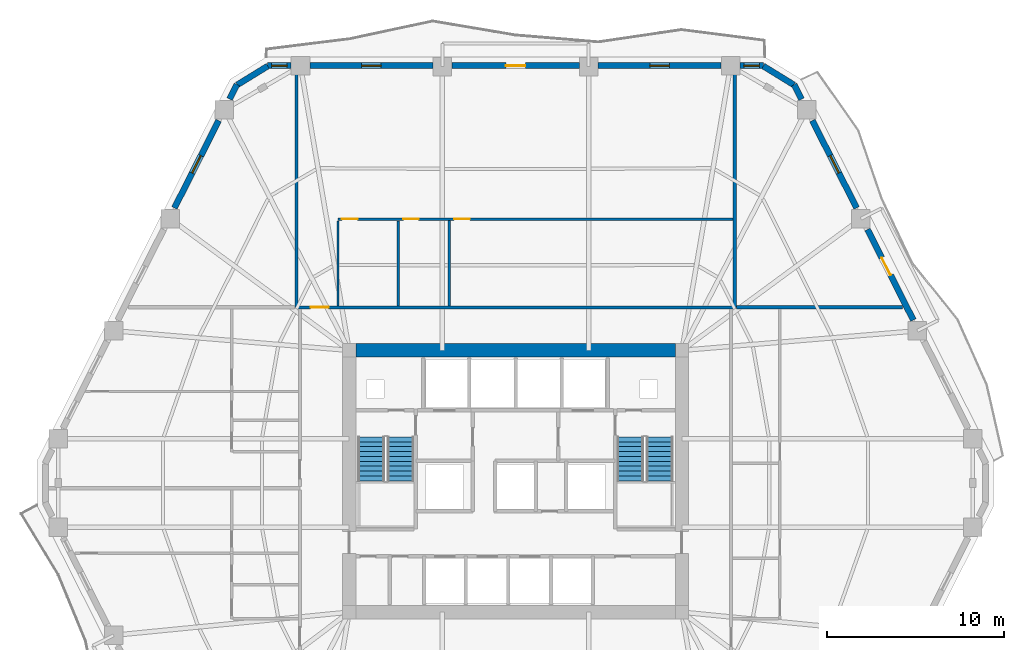
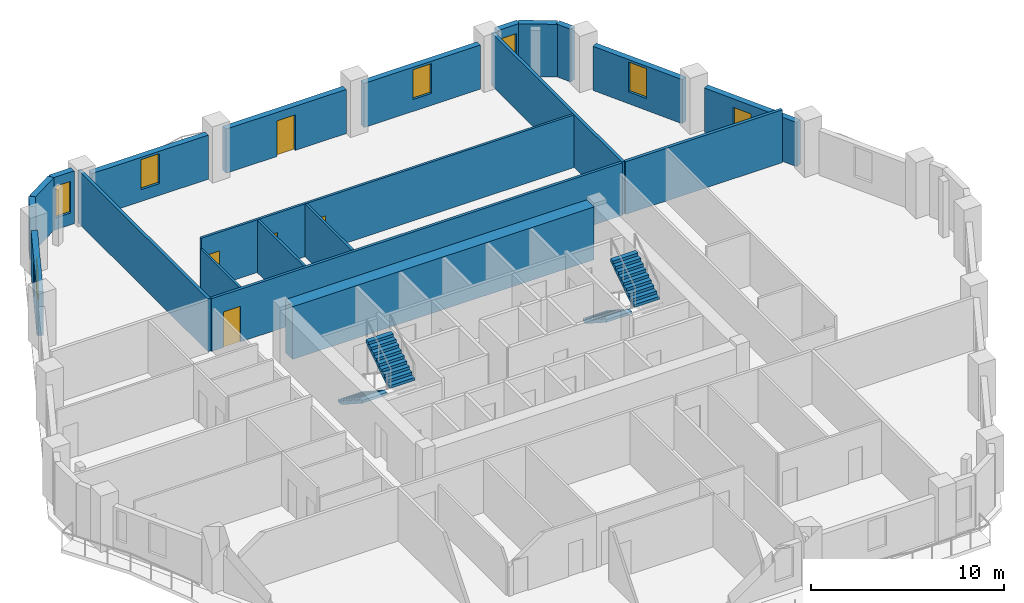
# One storey, part 7 of 10: 21 walls, 6 doors, 6 windows, 4 stair flights, 12 openings, 2 elements without a shape of their own.
"""IFC4 building model written with IfcOpenShell, lengths in metres."""

from ifc_helpers import new_model, si_unit, direction, frame, frame_2d, origin, place, context, subcontext, project, spatial, polyline, rectangle, outline, extrude, material, layer, layer_set, type_object, element, fill, aggregate, save


model = new_model("IFC4")

# Units and contexts
model_context = context("Model", 3, precision=1e-05, world=origin(), true_north=direction((0.0, 1.0)))
body_context = subcontext(model_context, "Body", "Model", "MODEL_VIEW")
ifc_project = project(units=[si_unit("LENGTHUNIT", "METRE"), si_unit("AREAUNIT", "SQUARE_METRE"), si_unit("VOLUMEUNIT", "CUBIC_METRE"), si_unit("PLANEANGLEUNIT", "RADIAN"), si_unit("MASSUNIT", "GRAM", prefix="KILO")], contexts=[model_context])

# Site, building, storey
site_placement = place(None, origin())
site = spatial("IfcSite", under=ifc_project, at=site_placement, CompositionType="ELEMENT")
building_placement = place(site_placement, origin())
building = spatial("IfcBuilding", under=site, at=building_placement, Name="Cinnabar Lancet Tower", CompositionType="ELEMENT")
storey_placement = place(building_placement, frame((0.0, 0.0, 87.10009765625)))
storey = spatial("IfcBuildingStorey", under=building, at=storey_placement, Name="L22", CompositionType="ELEMENT", Elevation=87.10009765625)

# Wall, opening, door
ifc_material_1 = material(Name="Acoustic twin-stud gypsum partition", Category="gypsum")
ifc_layer_1 = layer(ifc_material_1, 0.159912109375)
ifc_layer_set_1 = layer_set([ifc_layer_1], Name="Acoustic twin-stud gypsum partition")
wall_type_1 = type_object("IfcWallType", Name="ARC-WL-CORR-160", PredefinedType="PARTITIONING", material=ifc_layer_set_1)
wall_1_placement = place(storey_placement, frame((20.14501953125, 35.699951171875, 0.0), z_axis=(0.0, 0.0, 1.0), x_axis=(1.0, 0.0, 0.0)))
wall_1 = element("IfcWall", 1, at=wall_1_placement, inside=storey, type_object=wall_type_1, Name="L22 Unit N01 Corridor Wall", PredefinedType="PARTITIONING", context=body_context, shape_type="SweptSolid", body=[
    extrude(rectangle(XDim=24.510009765625, YDim=0.159912109375, at=frame_2d((12.2548828125, 0.0))), origin(), (0.0, 0.0, 1.0), 3.329833984375),
])
opening_1_placement = place(wall_1_placement, frame((0.705078125, 0.0, 0.0)))
opening_1 = element("IfcOpeningElement", 2, at=opening_1_placement, cuts=wall_1, Name="Opening UD-01", PredefinedType="OPENING", context=body_context, shape_type="SweptSolid", body=[
    extrude(rectangle(XDim=1.02001953125, YDim=2.25, at=frame_2d((0.510009765625, 1.125))), frame((0.0, 0.08984375, 0.0), z_axis=(0.0, -1.0, 0.0), x_axis=(1.0, 0.0, 0.0)), (0.0, 0.0, 1.0), 0.179931640625),
])
ifc_material_2 = material(Name="Solid timber fire-rated apartment entrance door", Category="wood")
door_type_1 = type_object("IfcDoorType", Name="ARC-DR-UNIT", OperationType="NOTDEFINED", PredefinedType="DOOR", material=ifc_material_2)
door_1_placement = place(opening_1_placement, origin())
door_1 = element("IfcDoor", 3, at=door_1_placement, inside=storey, type_object=door_type_1, Name="DR-L22-N01-ENT", OperationType="SINGLE_SWING_RIGHT", OverallHeight=2.25, OverallWidth=1.02001953125, PredefinedType="DOOR", context=body_context, shape_type="SweptSolid", body=[
    extrude(rectangle(XDim=1.02001953125, YDim=2.25, at=frame_2d((0.510009765625, 1.125))), frame((0.0, 0.02490234375, 0.0), z_axis=(0.0, -1.0, 0.0), x_axis=(1.0, 0.0, 0.0)), (0.0, 0.0, 1.0), 0.050048828125),
])
fill(opening_1, door_1)

# Walls
ifc_material_3 = material(Name="Fire-rated twin-frame acoustic drywall", Category="gypsum")
ifc_layer_2 = layer(ifc_material_3, 0.179931640625)
ifc_layer_set_2 = layer_set([ifc_layer_2], Name="Fire-rated twin-frame acoustic drywall")
wall_type_2 = type_object("IfcWallType", Name="ARC-WL-PARTY-180", PredefinedType="PARTITIONING", material=ifc_layer_set_2)
for number, where, z_axis, x_axis, name in (
    (4, (20.050048828125, 35.699951171875, 0.0), (0.0, 0.0, 1.0), (0.0, 1.0, 0.0), "PW-L22-NPTY-200"),
    (5, (44.75, 35.699951171875, 0.0), (0.0, 0.0, 1.0), (0.0, 1.0, 0.0), "PW-L22-NPTY-448"),
):
    element("IfcWall", number, at=place(storey_placement, frame(where, z_axis=z_axis, x_axis=x_axis)), inside=storey, type_object=wall_type_2, Name=name, PredefinedType="PARTITIONING", context=body_context, shape_type="SweptSolid", body=[
        extrude(rectangle(XDim=13.445068359375, YDim=0.179931640625, at=frame_2d((6.72265625, 0.0))), origin(), (0.0, 0.0, 1.0), 3.329833984375),
    ])
wall_2_placement = place(storey_placement, frame((44.844970703125, 35.699951171875, 0.0), z_axis=(0.0, 0.0, 1.0), x_axis=(1.0, 0.0, 0.0)))
element("IfcWall", 6, at=wall_2_placement, inside=storey, type_object=wall_type_2, Name="PW-L22-ENB", PredefinedType="PARTITIONING", context=body_context, shape_type="SweptSolid", body=[
    extrude(rectangle(XDim=9.365966796875, YDim=0.179931640625, at=frame_2d((4.68310546875, 0.0))), origin(), (0.0, 0.0, 1.0), 3.329833984375),
])
ifc_material_4 = material(Name="Gypsum plasterboard stud partition", Category="gypsum")
ifc_layer_3 = layer(ifc_material_4, 0.125)
ifc_layer_set_3 = layer_set([ifc_layer_3], Name="Gypsum plasterboard stud partition")
wall_type_3 = type_object("IfcWallType", Name="ARC-WL-UNIT-125", PredefinedType="PARTITIONING", material=ifc_layer_set_3)
wall_3_placement = place(storey_placement, frame((22.39990234375, 35.784912109375, 0.0), z_axis=(0.0, 0.0, 1.0), x_axis=(0.0, 1.0, 0.0)))
element("IfcWall", 7, at=wall_3_placement, inside=storey, type_object=wall_type_3, Name="UW-L22-N01-FOYE", PredefinedType="PARTITIONING", context=body_context, shape_type="SweptSolid", body=[
    extrude(rectangle(XDim=4.78515625, YDim=0.125, at=frame_2d((2.392578125, 0.0))), origin(), (0.0, 0.0, 1.0), 2.699951171875),
])

# Wall, openings, doors
ifc_material_5 = material(Name="Moisture-resistant cement-board plumbing wall", Category="masonry")
ifc_layer_4 = layer(ifc_material_5, 0.139892578125)
ifc_layer_set_4 = layer_set([ifc_layer_4], Name="Moisture-resistant cement-board plumbing wall")
wall_type_4 = type_object("IfcWallType", Name="ARC-WL-WET-140", PredefinedType="PLUMBINGWALL", material=ifc_layer_set_4)
wall_4_placement = place(storey_placement, frame((22.39990234375, 40.675048828125, 0.0), z_axis=(0.0, 0.0, 1.0), x_axis=(1.0, 0.0, 0.0)))
wall_4 = element("IfcWall", 8, at=wall_4_placement, inside=storey, type_object=wall_type_4, Name="UW-L22-N01-SPL", PredefinedType="PLUMBINGWALL", context=body_context, shape_type="SweptSolid", body=[
    extrude(rectangle(XDim=22.255126953125, YDim=0.139892578125, at=frame_2d((11.12744140625, 0.0))), origin(), (0.0, 0.0, 1.0), 3.329833984375),
])
opening_2_placement = place(wall_4_placement, frame((3.679931640625, 0.0, 0.0)))
opening_2 = element("IfcOpeningElement", 9, at=opening_2_placement, cuts=wall_4, Name="Opening BD-01", PredefinedType="OPENING", context=body_context, shape_type="SweptSolid", body=[
    extrude(rectangle(XDim=0.860107421875, YDim=2.10009765625, at=frame_2d((0.43017578125, 1.050048828125))), frame((0.0, 0.079833984375, 0.0), z_axis=(0.0, -1.0, 0.0), x_axis=(1.0, 0.0, 0.0)), (0.0, 0.0, 1.0), 0.159912109375),
])
opening_3_placement = place(wall_4_placement, frame((6.5458984375, 0.0, 0.0)))
opening_3 = element("IfcOpeningElement", 10, at=opening_3_placement, cuts=wall_4, Name="Opening RD-02", PredefinedType="OPENING", context=body_context, shape_type="SweptSolid", body=[
    extrude(rectangle(XDim=0.8798828125, YDim=2.14990234375, at=frame_2d((0.43994140625, 1.074951171875))), frame((0.0, 0.079833984375, 0.0), z_axis=(0.0, -1.0, 0.0), x_axis=(1.0, 0.0, 0.0)), (0.0, 0.0, 1.0), 0.159912109375),
])
opening_4_placement = place(wall_4_placement, frame((0.219970703125, 0.0, 0.0)))
opening_4 = element("IfcOpeningElement", 11, at=opening_4_placement, cuts=wall_4, Name="Opening RD-02", PredefinedType="OPENING", context=body_context, shape_type="SweptSolid", body=[
    extrude(rectangle(XDim=0.8798828125, YDim=2.14990234375, at=frame_2d((0.43994140625, 1.074951171875))), frame((0.0, 0.079833984375, 0.0), z_axis=(0.0, -1.0, 0.0), x_axis=(1.0, 0.0, 0.0)), (0.0, 0.0, 1.0), 0.159912109375),
])
ifc_material_6 = material(Name="Moisture-resistant timber bathroom door", Category="wood")
door_type_2 = type_object("IfcDoorType", Name="ARC-DR-BATH", OperationType="NOTDEFINED", PredefinedType="DOOR", material=ifc_material_6)
door_2_placement = place(opening_2_placement, origin())
door_2 = element("IfcDoor", 12, at=door_2_placement, inside=storey, type_object=door_type_2, Name="DR-L22-N01-BTH", OperationType="SINGLE_SWING_RIGHT", OverallHeight=2.10009765625, OverallWidth=0.860107421875, PredefinedType="DOOR", context=body_context, shape_type="SweptSolid", body=[
    extrude(rectangle(XDim=0.860107421875, YDim=2.10009765625, at=frame_2d((0.43017578125, 1.050048828125))), frame((0.0, 0.02490234375, 0.0), z_axis=(0.0, -1.0, 0.0), x_axis=(1.0, 0.0, 0.0)), (0.0, 0.0, 1.0), 0.050048828125),
])
fill(opening_2, door_2)
ifc_material_7 = material(Name="Engineered timber study door", Category="wood")
door_type_3 = type_object("IfcDoorType", Name="ARC-DR-STUDY", OperationType="NOTDEFINED", PredefinedType="DOOR", material=ifc_material_7)
door_3_placement = place(opening_3_placement, origin())
door_3 = element("IfcDoor", 13, at=door_3_placement, inside=storey, type_object=door_type_3, Name="DR-L22-N01-BTH-WDR", OperationType="SINGLE_SWING_LEFT", OverallHeight=2.14990234375, OverallWidth=0.8798828125, PredefinedType="DOOR", context=body_context, shape_type="SweptSolid", body=[
    extrude(rectangle(XDim=0.8798828125, YDim=2.14990234375, at=frame_2d((0.43994140625, 1.074951171875))), frame((0.0, 0.02490234375, 0.0), z_axis=(0.0, -1.0, 0.0), x_axis=(1.0, 0.0, 0.0)), (0.0, 0.0, 1.0), 0.050048828125),
])
fill(opening_3, door_3)
door_4_placement = place(opening_4_placement, origin())
door_4 = element("IfcDoor", 14, at=door_4_placement, inside=storey, type_object=door_type_3, Name="DR-L22-N01-KIT", OperationType="SINGLE_SWING_LEFT", OverallHeight=2.14990234375, OverallWidth=0.8798828125, PredefinedType="DOOR", context=body_context, shape_type="SweptSolid", body=[
    extrude(rectangle(XDim=0.8798828125, YDim=2.14990234375, at=frame_2d((0.43994140625, 1.074951171875))), frame((0.0, 0.02490234375, 0.0), z_axis=(0.0, -1.0, 0.0), x_axis=(1.0, 0.0, 0.0)), (0.0, 0.0, 1.0), 0.050048828125),
])
fill(opening_4, door_4)

# Walls
wall_5_placement = place(storey_placement, frame((25.800048828125, 35.784912109375, 0.0), z_axis=(0.0, 0.0, 1.0), x_axis=(0.0, 1.0, 0.0)))
element("IfcWall", 15, at=wall_5_placement, inside=storey, type_object=wall_type_4, Name="UW-L22-N01-KDV", PredefinedType="PLUMBINGWALL", context=body_context, shape_type="SweptSolid", body=[
    extrude(rectangle(XDim=4.78515625, YDim=0.139892578125, at=frame_2d((2.392578125, 0.0))), origin(), (0.0, 0.0, 1.0), 3.329833984375),
])
wall_6_placement = place(storey_placement, frame((28.666015625, 35.784912109375, 0.0), z_axis=(0.0, 0.0, 1.0), x_axis=(0.0, 1.0, 0.0)))
element("IfcWall", 16, at=wall_6_placement, inside=storey, type_object=wall_type_4, Name="UW-L22-N01-BTH-WDV", PredefinedType="PLUMBINGWALL", context=body_context, shape_type="SweptSolid", body=[
    extrude(rectangle(XDim=4.80517578125, YDim=0.139892578125, at=frame_2d((2.402587890625, 0.0))), origin(), (0.0, 0.0, 1.0), 3.329833984375),
])
ifc_material_8 = material(Name="Cinnabar red clay brick", Category="masonry")
ifc_layer_5 = layer(ifc_material_8, 0.340087890625)
ifc_layer_set_5 = layer_set([ifc_layer_5], Name="Cinnabar red clay brick")
wall_type_5 = type_object("IfcWallType", Name="ENV-WL-BRK-RED-340", PredefinedType="STANDARD", material=ifc_layer_set_5)
for number, where, z_axis, x_axis, name in (
    (17, (48.080078125, 48.238037109375, 0.0), (0.0, 0.0, 1.0), (-0.851870104345, 0.523753114857, 0.0), "L22 Chamfered Corner Brick Pier 4.1"),
    (18, (18.43896484375, 49.294921875, 0.0), (0.0, 0.0, 1.0), (-0.851870104345, -0.523753114857, 0.0), "L22 Chamfered Corner Brick Pier 5.1"),
):
    element("IfcWall", number, at=place(storey_placement, frame(where, z_axis=z_axis, x_axis=x_axis)), inside=storey, type_object=wall_type_5, Name=name, PredefinedType="STANDARD", context=body_context, shape_type="SweptSolid", body=[
        extrude(rectangle(XDim=2.017822265625, YDim=0.340087890625, at=frame_2d((1.0087890625, 0.0))), origin(), (0.0, 0.0, 1.0), 3.329833984375),
    ])

# Wall, opening, door
wall_7_placement = place(storey_placement, frame((54.81396484375, 34.986083984375, 0.0), z_axis=(0.0, 0.0, 1.0), x_axis=(-0.451633893529, 0.892203354744, 0.0)))
wall_7 = element("IfcWall", 19, at=wall_7_placement, inside=storey, type_object=wall_type_5, Name="L22 Face 3 Masonry Bay Wall 3", PredefinedType="STANDARD", context=body_context, shape_type="SweptSolid", body=[
    extrude(rectangle(XDim=5.71484375, YDim=0.340087890625, at=frame_2d((2.857421875, 0.0))), origin(), (0.0, 0.0, 1.0), 2.786865234375),
])
opening_5_placement = place(wall_7_placement, frame((2.8330078125, 0.0, 0.0)))
opening_5 = element("IfcOpeningElement", 20, at=opening_5_placement, cuts=wall_7, Name="Opening TD-01", PredefinedType="OPENING", context=body_context, shape_type="SweptSolid", body=[
    extrude(rectangle(XDim=1.10009765625, YDim=2.25, at=frame_2d((0.550048828125, 1.125))), frame((0.0, 0.179931640625, 0.0), z_axis=(0.0, -1.0, 0.0), x_axis=(1.0, 0.0, 0.0)), (0.0, 0.0, 1.0), 0.360107421875),
])
ifc_material_9 = material(Name="Thermally broken low-E glazed balcony terrace door", Category="wood")
door_type_4 = type_object("IfcDoorType", Name="ARC-DR-BALC", OperationType="NOTDEFINED", PredefinedType="DOOR", material=ifc_material_9)
door_5_placement = place(opening_5_placement, origin())
door_5 = element("IfcDoor", 21, at=door_5_placement, inside=storey, type_object=door_type_4, Name="L22 Face 3 Glazed Terrace Door", OperationType="SINGLE_SWING_RIGHT", OverallHeight=2.25, OverallWidth=1.10009765625, PredefinedType="DOOR", context=body_context, shape_type="SweptSolid", body=[
    extrude(rectangle(XDim=1.10009765625, YDim=2.25, at=frame_2d((0.550048828125, 1.125))), frame((0.0, 0.02490234375, 0.0), z_axis=(0.0, -1.0, 0.0), x_axis=(1.0, 0.0, 0.0)), (0.0, 0.0, 1.0), 0.050048828125),
])
fill(opening_5, door_5)

# Wall, opening, window
wall_8_placement = place(storey_placement, frame((51.62109375, 41.297119140625, 0.0), z_axis=(0.0, 0.0, 1.0), x_axis=(-0.451737622594, 0.892150839451, 0.0)))
wall_8 = element("IfcWall", 22, at=wall_8_placement, inside=storey, type_object=wall_type_5, Name="L22 Face 3 Masonry Bay Wall 4", PredefinedType="STANDARD", context=body_context, shape_type="SweptSolid", body=[
    extrude(rectangle(XDim=5.51904296875, YDim=0.340087890625, at=frame_2d((2.759521484375, 0.0))), origin(), (0.0, 0.0, 1.0), 2.786865234375),
])
opening_6_placement = place(wall_8_placement, frame((2.2099609375, 0.0, 0.75)))
opening_6 = element("IfcOpeningElement", 23, at=opening_6_placement, cuts=wall_8, Name="Opening WN-04", PredefinedType="OPENING", context=body_context, shape_type="SweptSolid", body=[
    extrude(rectangle(XDim=1.10009765625, YDim=1.886962890625, at=frame_2d((0.550048828125, 0.943359375))), frame((0.0, 0.179931640625, 0.0), z_axis=(0.0, -1.0, 0.0), x_axis=(1.0, 0.0, 0.0)), (0.0, 0.0, 1.0), 0.360107421875),
])
ifc_material_10 = material(Name="Thermally broken bronze-anodized aluminium tall lancet window", Category="aluminium")
window_type = type_object("IfcWindowType", Name="ENV-WN-LANCET-1100", PartitioningType="SINGLE_PANEL", PredefinedType="WINDOW", material=ifc_material_10)
window_1_placement = place(opening_6_placement, origin())
window_1 = element("IfcWindow", 24, at=window_1_placement, inside=storey, type_object=window_type, Name="L22 Face 3 Gothic Lancet Window 4", OverallHeight=1.886962890625, OverallWidth=1.10009765625, PartitioningType="SINGLE_PANEL", PredefinedType="WINDOW", context=body_context, shape_type="SweptSolid", body=[
    extrude(rectangle(XDim=1.10009765625, YDim=1.886962890625, at=frame_2d((0.550048828125, 0.943359375))), frame((0.0, 0.030029296875, 0.0), z_axis=(0.0, -1.0, 0.0), x_axis=(1.0, 0.0, 0.0)), (0.0, 0.0, 1.0), 0.06005859375),
])
fill(opening_6, window_1)

# Wall
wall_9_placement = place(storey_placement, frame((48.51611328125, 47.43310546875, 0.0), z_axis=(0.0, 0.0, 1.0), x_axis=(-0.452088642812, 0.891973014749, 0.0)))
element("IfcWall", 25, at=wall_9_placement, inside=storey, type_object=wall_type_5, Name="L22 Face 3 Masonry Bay Wall 5", PredefinedType="STANDARD", context=body_context, shape_type="SweptSolid", body=[
    extrude(rectangle(XDim=0.920166015625, YDim=0.340087890625, at=frame_2d((0.4599609375, 0.0))), origin(), (0.0, 0.0, 1.0), 3.329833984375),
])

# Wall, opening, window
wall_10_placement = place(storey_placement, frame((46.365966796875, 49.320068359375, 0.0), z_axis=(0.0, 0.0, 1.0), x_axis=(-1.0, 0.0, 0.0)))
wall_10 = element("IfcWall", 26, at=wall_10_placement, inside=storey, type_object=wall_type_5, Name="L22 Face 4 Masonry Bay Wall 1", PredefinedType="STANDARD", context=body_context, shape_type="SweptSolid", body=[
    extrude(rectangle(XDim=1.320068359375, YDim=0.340087890625, at=frame_2d((0.66015625, 0.0))), origin(), (0.0, 0.0, 1.0), 3.329833984375),
])
opening_7_placement = place(wall_10_placement, frame((0.219970703125, 0.0, 0.75)))
opening_7 = element("IfcOpeningElement", 27, at=opening_7_placement, cuts=wall_10, Name="Opening WN-04", PredefinedType="OPENING", context=body_context, shape_type="SweptSolid", body=[
    extrude(rectangle(XDim=0.8798828125, YDim=2.0, at=frame_2d((0.43994140625, 1.0))), frame((0.0, 0.179931640625, 0.0), z_axis=(0.0, -1.0, 0.0), x_axis=(1.0, 0.0, 0.0)), (0.0, 0.0, 1.0), 0.360107421875),
])
window_2_placement = place(opening_7_placement, origin())
window_2 = element("IfcWindow", 28, at=window_2_placement, inside=storey, type_object=window_type, Name="L22 Split-Bay Gothic Lancet Window 69", OverallHeight=2.0, OverallWidth=0.8798828125, PartitioningType="SINGLE_PANEL", PredefinedType="WINDOW", context=body_context, shape_type="SweptSolid", body=[
    extrude(rectangle(XDim=0.8798828125, YDim=2.0, at=frame_2d((0.43994140625, 1.0))), frame((0.0, 0.030029296875, 0.0), z_axis=(0.0, -1.0, 0.0), x_axis=(1.0, 0.0, 0.0)), (0.0, 0.0, 1.0), 0.06005859375),
])
fill(opening_7, window_2)

wall_11_placement = place(storey_placement, frame((43.988037109375, 49.320068359375, 0.0), z_axis=(0.0, 0.0, 1.0), x_axis=(-1.0, 0.0, 0.0)))
wall_11 = element("IfcWall", 29, at=wall_11_placement, inside=storey, type_object=wall_type_5, Name="L22 Face 4 Masonry Bay Wall 2", PredefinedType="STANDARD", context=body_context, shape_type="SweptSolid", body=[
    extrude(rectangle(XDim=6.93701171875, YDim=0.340087890625, at=frame_2d((3.468505859375, 0.0))), origin(), (0.0, 0.0, 1.0), 2.786865234375),
])
opening_8_placement = place(wall_11_placement, frame((2.91796875, 0.0, 0.75)))
opening_8 = element("IfcOpeningElement", 30, at=opening_8_placement, cuts=wall_11, Name="Opening WN-04", PredefinedType="OPENING", context=body_context, shape_type="SweptSolid", body=[
    extrude(rectangle(XDim=1.10009765625, YDim=1.886962890625, at=frame_2d((0.550048828125, 0.943359375))), frame((0.0, 0.179931640625, 0.0), z_axis=(0.0, -1.0, 0.0), x_axis=(1.0, 0.0, 0.0)), (0.0, 0.0, 1.0), 0.360107421875),
])
window_3_placement = place(opening_8_placement, origin())
window_3 = element("IfcWindow", 31, at=window_3_placement, inside=storey, type_object=window_type, Name="L22 Face 4 Gothic Lancet Window 2", OverallHeight=1.886962890625, OverallWidth=1.10009765625, PartitioningType="SINGLE_PANEL", PredefinedType="WINDOW", context=body_context, shape_type="SweptSolid", body=[
    extrude(rectangle(XDim=1.10009765625, YDim=1.886962890625, at=frame_2d((0.550048828125, 0.943359375))), frame((0.0, 0.030029296875, 0.0), z_axis=(0.0, -1.0, 0.0), x_axis=(1.0, 0.0, 0.0)), (0.0, 0.0, 1.0), 0.06005859375),
])
fill(opening_8, window_3)

# Wall, opening, door
wall_12_placement = place(storey_placement, frame((35.992919921875, 49.320068359375, 0.0), z_axis=(0.0, 0.0, 1.0), x_axis=(-1.0, 0.0, 0.0)))
wall_12 = element("IfcWall", 32, at=wall_12_placement, inside=storey, type_object=wall_type_5, Name="L22 Face 4 Masonry Bay Wall 3", PredefinedType="STANDARD", context=body_context, shape_type="SweptSolid", body=[
    extrude(rectangle(XDim=7.18603515625, YDim=0.340087890625, at=frame_2d((3.593017578125, 0.0))), origin(), (0.0, 0.0, 1.0), 2.786865234375),
])
opening_9_placement = place(wall_12_placement, frame((3.04296875, 0.0, 0.0)))
opening_9 = element("IfcOpeningElement", 33, at=opening_9_placement, cuts=wall_12, Name="Opening TD-01", PredefinedType="OPENING", context=body_context, shape_type="SweptSolid", body=[
    extrude(rectangle(XDim=1.10009765625, YDim=2.25, at=frame_2d((0.550048828125, 1.125))), frame((0.0, 0.179931640625, 0.0), z_axis=(0.0, -1.0, 0.0), x_axis=(1.0, 0.0, 0.0)), (0.0, 0.0, 1.0), 0.360107421875),
])
door_6_placement = place(opening_9_placement, origin())
door_6 = element("IfcDoor", 34, at=door_6_placement, inside=storey, type_object=door_type_4, Name="L22 Face 4 Glazed Terrace Door", OperationType="SINGLE_SWING_LEFT", OverallHeight=2.25, OverallWidth=1.10009765625, PredefinedType="DOOR", context=body_context, shape_type="SweptSolid", body=[
    extrude(rectangle(XDim=1.10009765625, YDim=2.25, at=frame_2d((0.550048828125, 1.125))), frame((0.0, 0.02490234375, 0.0), z_axis=(0.0, -1.0, 0.0), x_axis=(1.0, 0.0, 0.0)), (0.0, 0.0, 1.0), 0.050048828125),
])
fill(opening_9, door_6)

# Wall, opening, window
wall_13_placement = place(storey_placement, frame((27.7490234375, 49.320068359375, 0.0), z_axis=(0.0, 0.0, 1.0), x_axis=(-1.0, 0.0, 0.0)))
wall_13 = element("IfcWall", 35, at=wall_13_placement, inside=storey, type_object=wall_type_5, Name="L22 Face 4 Masonry Bay Wall 4", PredefinedType="STANDARD", context=body_context, shape_type="SweptSolid", body=[
    extrude(rectangle(XDim=6.93701171875, YDim=0.340087890625, at=frame_2d((3.468505859375, 0.0))), origin(), (0.0, 0.0, 1.0), 2.786865234375),
])
opening_10_placement = place(wall_13_placement, frame((2.91796875, 0.0, 0.75)))
opening_10 = element("IfcOpeningElement", 36, at=opening_10_placement, cuts=wall_13, Name="Opening WN-04", PredefinedType="OPENING", context=body_context, shape_type="SweptSolid", body=[
    extrude(rectangle(XDim=1.10009765625, YDim=1.886962890625, at=frame_2d((0.550048828125, 0.943359375))), frame((0.0, 0.179931640625, 0.0), z_axis=(0.0, -1.0, 0.0), x_axis=(1.0, 0.0, 0.0)), (0.0, 0.0, 1.0), 0.360107421875),
])
window_4_placement = place(opening_10_placement, origin())
window_4 = element("IfcWindow", 37, at=window_4_placement, inside=storey, type_object=window_type, Name="L22 Face 4 Gothic Lancet Window 4", OverallHeight=1.886962890625, OverallWidth=1.10009765625, PartitioningType="SINGLE_PANEL", PredefinedType="WINDOW", context=body_context, shape_type="SweptSolid", body=[
    extrude(rectangle(XDim=1.10009765625, YDim=1.886962890625, at=frame_2d((0.550048828125, 0.943359375))), frame((0.0, 0.030029296875, 0.0), z_axis=(0.0, -1.0, 0.0), x_axis=(1.0, 0.0, 0.0)), (0.0, 0.0, 1.0), 0.06005859375),
])
fill(opening_10, window_4)

wall_14_placement = place(storey_placement, frame((19.75390625, 49.320068359375, 0.0), z_axis=(0.0, 0.0, 1.0), x_axis=(-1.0, 0.0, 0.0)))
wall_14 = element("IfcWall", 38, at=wall_14_placement, inside=storey, type_object=wall_type_5, Name="L22 Face 4 Masonry Bay Wall 5", PredefinedType="STANDARD", context=body_context, shape_type="SweptSolid", body=[
    extrude(rectangle(XDim=1.31982421875, YDim=0.340087890625, at=frame_2d((0.659912109375, 0.0))), origin(), (0.0, 0.0, 1.0), 3.329833984375),
])
opening_11_placement = place(wall_14_placement, frame((0.219970703125, 0.0, 0.75)))
opening_11 = element("IfcOpeningElement", 39, at=opening_11_placement, cuts=wall_14, Name="Opening WN-04", PredefinedType="OPENING", context=body_context, shape_type="SweptSolid", body=[
    extrude(rectangle(XDim=0.8798828125, YDim=2.0, at=frame_2d((0.43994140625, 1.0))), frame((0.0, 0.179931640625, 0.0), z_axis=(0.0, -1.0, 0.0), x_axis=(1.0, 0.0, 0.0)), (0.0, 0.0, 1.0), 0.360107421875),
])
window_5_placement = place(opening_11_placement, origin())
window_5 = element("IfcWindow", 40, at=window_5_placement, inside=storey, type_object=window_type, Name="L22 Split-Bay Gothic Lancet Window 70", OverallHeight=2.0, OverallWidth=0.8798828125, PartitioningType="SINGLE_PANEL", PredefinedType="WINDOW", context=body_context, shape_type="SweptSolid", body=[
    extrude(rectangle(XDim=0.8798828125, YDim=2.0, at=frame_2d((0.43994140625, 1.0))), frame((0.0, 0.030029296875, 0.0), z_axis=(0.0, -1.0, 0.0), x_axis=(1.0, 0.0, 0.0)), (0.0, 0.0, 1.0), 0.06005859375),
])
fill(opening_11, window_5)

# Wall
wall_15_placement = place(storey_placement, frame((16.699951171875, 48.25390625, 0.0), z_axis=(0.0, 0.0, 1.0), x_axis=(-0.452088642812, -0.891973014749, 0.0)))
element("IfcWall", 41, at=wall_15_placement, inside=storey, type_object=wall_type_5, Name="L22 Face 5 Masonry Bay Wall 1", PredefinedType="STANDARD", context=body_context, shape_type="SweptSolid", body=[
    extrude(rectangle(XDim=0.920166015625, YDim=0.340087890625, at=frame_2d((0.4599609375, 0.0))), origin(), (0.0, 0.0, 1.0), 3.329833984375),
])

# Wall, opening, window
wall_16_placement = place(storey_placement, frame((15.672119140625, 46.220947265625, 0.0), z_axis=(0.0, 0.0, 1.0), x_axis=(-0.451737622594, -0.892150839451, 0.0)))
wall_16 = element("IfcWall", 42, at=wall_16_placement, inside=storey, type_object=wall_type_5, Name="L22 Face 5 Masonry Bay Wall 2", PredefinedType="STANDARD", context=body_context, shape_type="SweptSolid", body=[
    extrude(rectangle(XDim=5.51904296875, YDim=0.340087890625, at=frame_2d((2.759521484375, 0.0))), origin(), (0.0, 0.0, 1.0), 2.786865234375),
])
opening_12_placement = place(wall_16_placement, frame((2.2099609375, 0.0, 0.75)))
opening_12 = element("IfcOpeningElement", 43, at=opening_12_placement, cuts=wall_16, Name="Opening WN-04", PredefinedType="OPENING", context=body_context, shape_type="SweptSolid", body=[
    extrude(rectangle(XDim=1.10009765625, YDim=1.886962890625, at=frame_2d((0.550048828125, 0.943359375))), frame((0.0, 0.179931640625, 0.0), z_axis=(0.0, -1.0, 0.0), x_axis=(1.0, 0.0, 0.0)), (0.0, 0.0, 1.0), 0.360107421875),
])
window_6_placement = place(opening_12_placement, origin())
window_6 = element("IfcWindow", 44, at=window_6_placement, inside=storey, type_object=window_type, Name="L22 Face 5 Gothic Lancet Window 2", OverallHeight=1.886962890625, OverallWidth=1.10009765625, PartitioningType="SINGLE_PANEL", PredefinedType="WINDOW", context=body_context, shape_type="SweptSolid", body=[
    extrude(rectangle(XDim=1.10009765625, YDim=1.886962890625, at=frame_2d((0.550048828125, 0.943359375))), frame((0.0, 0.030029296875, 0.0), z_axis=(0.0, -1.0, 0.0), x_axis=(1.0, 0.0, 0.0)), (0.0, 0.0, 1.0), 0.06005859375),
])
fill(opening_12, window_6)

# Wall
ifc_material_11 = material(Name="Concrete C70/85", Category="concrete")
ifc_layer_6 = layer(ifc_material_11, 0.75)
ifc_layer_set_6 = layer_set([ifc_layer_6], Name="Concrete C70/85")
wall_type_6 = type_object("IfcWallType", Name="STR-WL-CORE-750", PredefinedType="SHEAR", material=ifc_layer_set_6)
wall_17_placement = place(storey_placement, frame((23.39990234375, 33.27490234375, 0.0), z_axis=(0.0, 0.0, 1.0), x_axis=(1.0, 0.0, 0.0)))
element("IfcWall", 45, at=wall_17_placement, inside=storey, type_object=wall_type_6, Name="L22 Core Shear Wall N", PredefinedType="SHEAR", context=body_context, shape_type="SweptSolid", body=[
    extrude(rectangle(XDim=18.0, YDim=0.75, at=frame_2d((9.0, 0.0))), origin(), (0.0, 0.0, 1.0), 3.329833984375),
])

# Stair, stair flights
ifc_material_12 = material(Name="Concrete C40/50", Category="concrete")
stair_type = type_object("IfcStairType", Name="ST-CORE", PredefinedType="HALF_TURN_STAIR", material=ifc_material_12)
stair_1_placement = place(storey_placement, origin())
stair_1 = element("IfcStair", 46, at=stair_1_placement, inside=storey, type_object=stair_type, Name="L22 ST-1", PredefinedType="HALF_TURN_STAIR")
ifc_material_13 = material(Name="Concrete C40/50", Category="concrete")
stair_flight_type = type_object("IfcStairFlightType", Name="FLIGHT-CORE", PredefinedType="STRAIGHT", material=ifc_material_13)
stair_flight_1_placement = place(storey_placement, frame((24.27490234375, 28.39990234375, 0.0), z_axis=(0.0, 0.0, 1.0), x_axis=(0.0, -1.0, 0.0)))
stair_flight_1 = element("IfcStairFlight", 47, at=stair_flight_1_placement, type_object=stair_flight_type, Name="ST-1 flight 1", NumberOfRisers=10, NumberOfTreads=9, PredefinedType="STRAIGHT", RiserHeight=0.1775, TreadLength=0.275, context=body_context, shape_type="SweptSolid", body=[
    extrude(outline(polyline([(0.0, 0.0), (0.0, 0.177490234375), (0.27490234375, 0.177490234375), (0.27490234375, 0.35498046875), (0.550048828125, 0.35498046875), (0.550048828125, 0.532470703125), (0.824951171875, 0.532470703125), (0.824951171875, 0.7099609375), (1.10009765625, 0.7099609375), (1.10009765625, 0.887451171875), (1.375, 0.887451171875), (1.375, 1.06494140625), (1.64990234375, 1.06494140625), (1.64990234375, 1.242431640625), (1.925048828125, 1.242431640625), (1.925048828125, 1.419921875), (2.199951171875, 1.419921875), (2.199951171875, 1.597412109375), (2.47509765625, 1.597412109375), (2.47509765625, 1.77490234375), (2.47509765625, 1.419189453125), (0.2763671875, 0.0), (0.0, 0.0)])), frame((0.0, 0.75, 0.0), z_axis=(0.0, -1.0, 0.0), x_axis=(1.0, 0.0, 0.0)), (0.0, 0.0, 1.0), 1.5),
])
stair_flight_2_placement = place(storey_placement, frame((25.925048828125, 25.925048828125, 1.77490234375), z_axis=(0.0, 0.0, 1.0), x_axis=(0.0, 1.0, 0.0)))
stair_flight_2 = element("IfcStairFlight", 48, at=stair_flight_2_placement, type_object=stair_flight_type, Name="ST-1 flight 2", NumberOfRisers=10, NumberOfTreads=9, PredefinedType="STRAIGHT", RiserHeight=0.1775, TreadLength=0.275, context=body_context, shape_type="SweptSolid", body=[
    extrude(outline(polyline([(0.0, 0.0), (0.0, 0.177490234375), (0.27490234375, 0.177490234375), (0.27490234375, 0.35498046875), (0.550048828125, 0.35498046875), (0.550048828125, 0.532470703125), (0.824951171875, 0.532470703125), (0.824951171875, 0.7099609375), (1.10009765625, 0.7099609375), (1.10009765625, 0.887451171875), (1.375, 0.887451171875), (1.375, 1.06494140625), (1.64990234375, 1.06494140625), (1.64990234375, 1.242431640625), (1.925048828125, 1.242431640625), (1.925048828125, 1.419921875), (2.199951171875, 1.419921875), (2.199951171875, 1.597412109375), (2.47509765625, 1.597412109375), (2.47509765625, 1.77490234375), (2.47509765625, 1.419189453125), (0.2763671875, 0.0), (0.0, 0.0)])), frame((0.0, 0.75, 0.0), z_axis=(0.0, -1.0, 0.0), x_axis=(1.0, 0.0, 0.0)), (0.0, 0.0, 1.0), 1.5),
])
aggregate(stair_1, [stair_flight_1, stair_flight_2])

stair_2_placement = place(storey_placement, origin())
stair_2 = element("IfcStair", 49, at=stair_2_placement, inside=storey, type_object=stair_type, Name="L22 ST-2", PredefinedType="HALF_TURN_STAIR")
stair_flight_3_placement = place(storey_placement, frame((38.875, 28.39990234375, 0.0), z_axis=(0.0, 0.0, 1.0), x_axis=(0.0, -1.0, 0.0)))
stair_flight_3 = element("IfcStairFlight", 50, at=stair_flight_3_placement, type_object=stair_flight_type, Name="ST-2 flight 1", NumberOfRisers=10, NumberOfTreads=9, PredefinedType="STRAIGHT", RiserHeight=0.1775, TreadLength=0.275, context=body_context, shape_type="SweptSolid", body=[
    extrude(outline(polyline([(0.0, 0.0), (0.0, 0.177490234375), (0.27490234375, 0.177490234375), (0.27490234375, 0.35498046875), (0.550048828125, 0.35498046875), (0.550048828125, 0.532470703125), (0.824951171875, 0.532470703125), (0.824951171875, 0.7099609375), (1.10009765625, 0.7099609375), (1.10009765625, 0.887451171875), (1.375, 0.887451171875), (1.375, 1.06494140625), (1.64990234375, 1.06494140625), (1.64990234375, 1.242431640625), (1.925048828125, 1.242431640625), (1.925048828125, 1.419921875), (2.199951171875, 1.419921875), (2.199951171875, 1.597412109375), (2.47509765625, 1.597412109375), (2.47509765625, 1.77490234375), (2.47509765625, 1.419189453125), (0.2763671875, 0.0), (0.0, 0.0)])), frame((0.0, 0.75, 0.0), z_axis=(0.0, -1.0, 0.0), x_axis=(1.0, 0.0, 0.0)), (0.0, 0.0, 1.0), 1.5),
])
stair_flight_4_placement = place(storey_placement, frame((40.52490234375, 25.925048828125, 1.77490234375), z_axis=(0.0, 0.0, 1.0), x_axis=(0.0, 1.0, 0.0)))
stair_flight_4 = element("IfcStairFlight", 51, at=stair_flight_4_placement, type_object=stair_flight_type, Name="ST-2 flight 2", NumberOfRisers=10, NumberOfTreads=9, PredefinedType="STRAIGHT", RiserHeight=0.1775, TreadLength=0.275, context=body_context, shape_type="SweptSolid", body=[
    extrude(outline(polyline([(0.0, 0.0), (0.0, 0.177490234375), (0.27490234375, 0.177490234375), (0.27490234375, 0.35498046875), (0.550048828125, 0.35498046875), (0.550048828125, 0.532470703125), (0.824951171875, 0.532470703125), (0.824951171875, 0.7099609375), (1.10009765625, 0.7099609375), (1.10009765625, 0.887451171875), (1.375, 0.887451171875), (1.375, 1.06494140625), (1.64990234375, 1.06494140625), (1.64990234375, 1.242431640625), (1.925048828125, 1.242431640625), (1.925048828125, 1.419921875), (2.199951171875, 1.419921875), (2.199951171875, 1.597412109375), (2.47509765625, 1.597412109375), (2.47509765625, 1.77490234375), (2.47509765625, 1.419189453125), (0.2763671875, 0.0), (0.0, 0.0)])), frame((0.0, 0.75, 0.0), z_axis=(0.0, -1.0, 0.0), x_axis=(1.0, 0.0, 0.0)), (0.0, 0.0, 1.0), 1.5),
])
aggregate(stair_2, [stair_flight_3, stair_flight_4])

save(model, "model.ifc")
